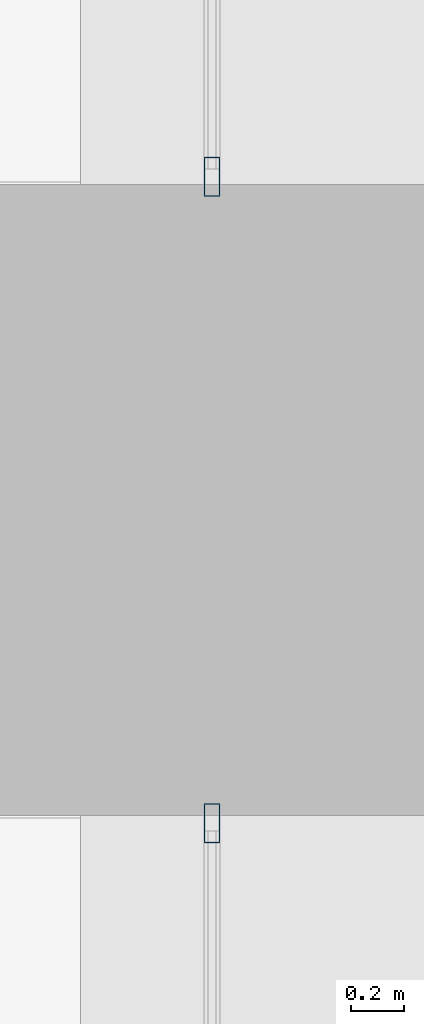
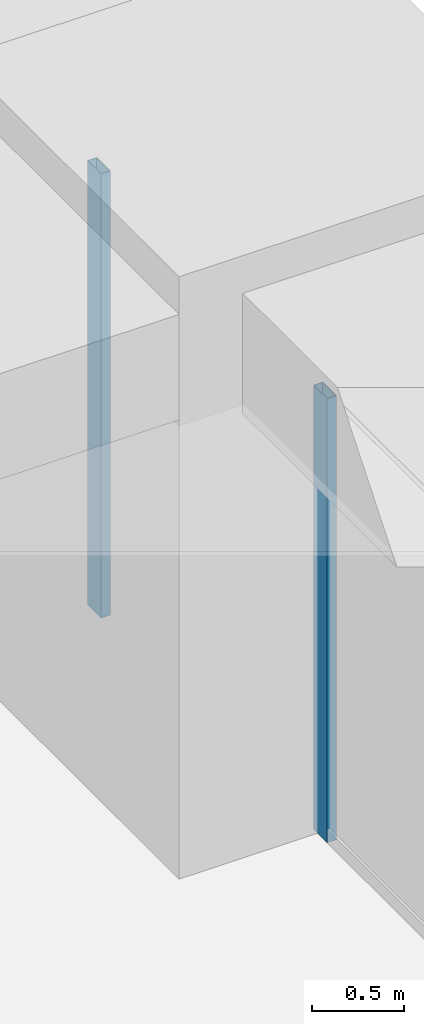
# One storey, part 23 of 42: 2 members, 2 elements without a shape of their own.
"""IFC4 building model written with IfcOpenShell, lengths in metres."""

from ifc_helpers import new_model, si_unit, direction, frame, origin, origin_2d, place, context, subcontext, project, spatial, hollow_rectangle, extrude, material, material_profile, profile_set, type_object, element, aggregate, save


model = new_model("IFC4")

# Units and contexts
model_context = context("Model", 3, precision=1e-05, world=origin(), true_north=direction((0.0, 1.0)))
body_context = subcontext(model_context, "Body", "Model", "MODEL_VIEW")
ifc_project = project(units=[si_unit("LENGTHUNIT", "METRE"), si_unit("AREAUNIT", "SQUARE_METRE"), si_unit("VOLUMEUNIT", "CUBIC_METRE"), si_unit("PLANEANGLEUNIT", "RADIAN"), si_unit("MASSUNIT", "GRAM", prefix="KILO")], contexts=[model_context])

# Site, building, storey
site_placement = place(None, origin())
site = spatial("IfcSite", under=ifc_project, at=site_placement, CompositionType="ELEMENT")
building_placement = place(site_placement, origin())
building = spatial("IfcBuilding", under=site, at=building_placement, Name="Zorevar Civic Tower", CompositionType="ELEMENT")
storey_placement = place(building_placement, frame((0.0, 0.0, 149.0)))
storey = spatial("IfcBuildingStorey", under=building, at=storey_placement, Name="L36", CompositionType="ELEMENT", Elevation=149.0)

# Curtain wall, member
ifc_material_1 = material(Name="Dark grey solar-control glass in black aluminium frame", Category="aluminium")
curtain_wall_type = type_object("IfcCurtainWallType", Name="Curtain wall CW3 mid zone", PredefinedType="NOTDEFINED", material=ifc_material_1)
curtain_wall_1_placement = place(storey_placement, origin())
curtain_wall_1 = element("IfcCurtainWall", 1, at=curtain_wall_1_placement, inside=storey, type_object=curtain_wall_type, Name="CW3 L36", PredefinedType="NOTDEFINED")
ifc_material_2 = material(Name="Aluminium, black anodised", Category="aluminium")
ifc_material_profile = material_profile(ifc_material_2, hollow_rectangle(XDim=0.06005859375, YDim=0.14990234375, WallThickness=0.00390625, at=origin_2d()), Name="AL 150x60x4")
ifc_profile_set = profile_set([ifc_material_profile], Name="Aluminium, black anodised")
member_type = type_object("IfcMemberType", Name="CW3 mullion AL 150x60x4", PredefinedType="MULLION", material=ifc_profile_set)
member_1_placement = place(storey_placement, frame((62.699951171875, 25.77001953125, 0.0), z_axis=(0.0, 0.0, 1.0), x_axis=(-1.0, 0.0, 0.0)))
member_1 = element("IfcMember", 2, at=member_1_placement, type_object=member_type, Name="CW3 mullion 3", PredefinedType="MULLION", context=body_context, shape_type="SweptSolid", body=[
    extrude(hollow_rectangle(XDim=0.06005859375, YDim=0.14990234375, WallThickness=0.00390625, at=origin_2d()), origin(), (0.0, 0.0, 1.0), 2.949951171875),
])
aggregate(curtain_wall_1, [member_1])

curtain_wall_2_placement = place(storey_placement, origin())
curtain_wall_2 = element("IfcCurtainWall", 3, at=curtain_wall_2_placement, inside=storey, type_object=curtain_wall_type, Name="CW3 L36", PredefinedType="NOTDEFINED")
member_2_placement = place(storey_placement, frame((62.699951171875, 28.22998046875, 0.0), z_axis=(0.0, 0.0, 1.0), x_axis=(-1.0, 0.0, 0.0)))
member_2 = element("IfcMember", 4, at=member_2_placement, type_object=member_type, Name="CW3 mullion 1", PredefinedType="MULLION", context=body_context, shape_type="SweptSolid", body=[
    extrude(hollow_rectangle(XDim=0.06005859375, YDim=0.14990234375, WallThickness=0.00390625, at=origin_2d()), origin(), (0.0, 0.0, 1.0), 2.949951171875),
])
aggregate(curtain_wall_2, [member_2])

save(model, "model.ifc")
